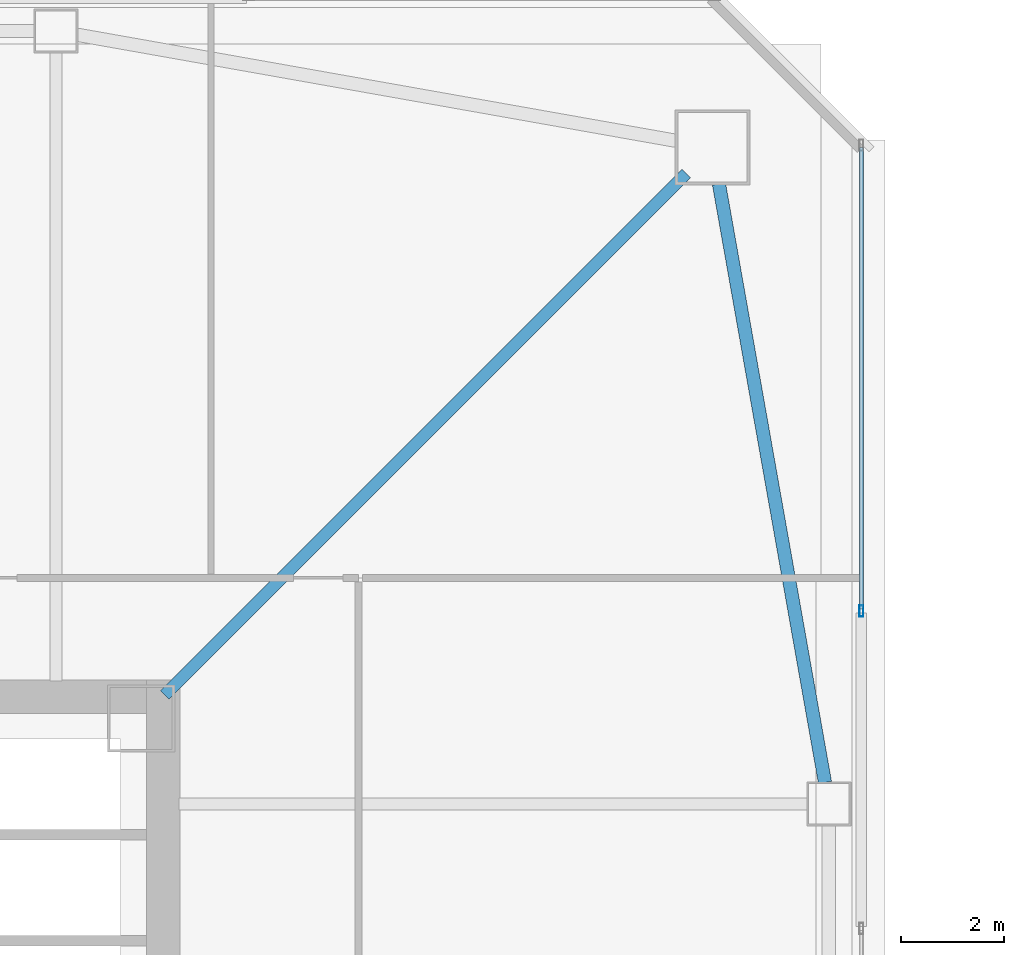
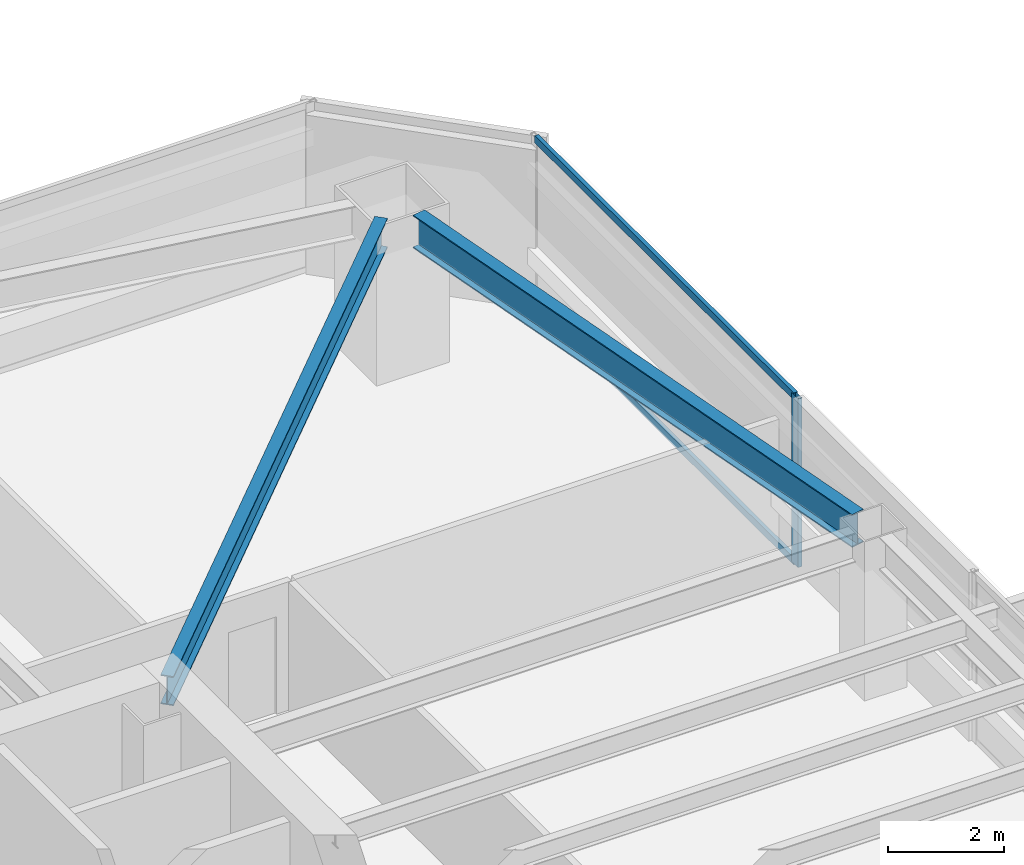
# One storey, part 14 of 44: 3 members, 2 beams, 1 element without a shape of its own.
"""IFC4 building model written with IfcOpenShell, lengths in metres."""

from ifc_helpers import new_model, si_unit, direction, frame, origin, origin_2d, place, context, subcontext, project, spatial, hollow_rectangle, i_section, extrude, material, material_profile, profile_set, type_object, element, aggregate, save


model = new_model("IFC4")

# Units and contexts
model_context = context("Model", 3, precision=1e-05, world=origin(), true_north=direction((0.0, 1.0)))
body_context = subcontext(model_context, "Body", "Model", "MODEL_VIEW")
ifc_project = project(units=[si_unit("LENGTHUNIT", "METRE"), si_unit("AREAUNIT", "SQUARE_METRE"), si_unit("VOLUMEUNIT", "CUBIC_METRE"), si_unit("PLANEANGLEUNIT", "RADIAN"), si_unit("MASSUNIT", "GRAM", prefix="KILO")], contexts=[model_context])

# Site, building, storey
site_placement = place(None, origin())
site = spatial("IfcSite", under=ifc_project, at=site_placement, CompositionType="ELEMENT")
building_placement = place(site_placement, origin())
building = spatial("IfcBuilding", under=site, at=building_placement, Name="Tashvorn Skyway Center", CompositionType="ELEMENT")
storey_placement = place(building_placement, frame((0.0, 0.0, 95.60009765625)))
storey = spatial("IfcBuildingStorey", under=building, at=storey_placement, Name="L25", CompositionType="ELEMENT", Elevation=95.60009765625)

# Beams
ifc_material_1 = material(Name="Steel ASTM A992 Grade 50", Category="steel")
ifc_material_profile_1 = material_profile(ifc_material_1, i_section(OverallWidth=0.22998046875, OverallDepth=0.616943359375, WebThickness=0.01318359375, FlangeThickness=0.022216796875, at=origin_2d()), Name="W24X94")
ifc_profile_set_1 = profile_set([ifc_material_profile_1], Name="Steel ASTM A992 Grade 50")
beam_type_1 = type_object("IfcBeamType", Name="BM-BEAM-W24X94", PredefinedType="BEAM", material=ifc_profile_set_1)
beam_1_placement = place(storey_placement, frame((59.5908203125, 49.5908203125, 3.04150390625), z_axis=(-0.707106781187, -0.707106781187, 0.0), x_axis=(0.707106781187, -0.707106781187, 0.0)))
element("IfcBeam", 1, at=beam_1_placement, inside=storey, type_object=beam_type_1, Name="Tower 1 L25 Primary Floor Girder MC-NE", PredefinedType="BEAM", context=body_context, shape_type="SweptSolid", body=[
    extrude(i_section(OverallWidth=0.22998046875, OverallDepth=0.616943359375, WebThickness=0.01318359375, FlangeThickness=0.022216796875, at=origin_2d()), origin(), (0.0, 0.0, 1.0), 14.261962890625),
])
ifc_material_profile_2 = material_profile(ifc_material_1, i_section(OverallWidth=0.256103515625, OverallDepth=0.693115234375, WebThickness=0.014404296875, FlangeThickness=0.023681640625, at=origin_2d()), Name="W27X114")
ifc_profile_set_2 = profile_set([ifc_material_profile_2], Name="Steel ASTM A992 Grade 50")
beam_type_2 = type_object("IfcBeamType", Name="BM-SPANDREL-W27X114", PredefinedType="SPANDREL", material=ifc_profile_set_2)
beam_2_placement = place(storey_placement, frame((62.276611328125, 37.8134765625, 3.00341796875), z_axis=(-0.174437966698, 0.98466816531, 0.0), x_axis=(-0.98466816531, -0.174437966698, 0.0)))
element("IfcBeam", 2, at=beam_2_placement, inside=storey, type_object=beam_type_2, Name="Tower 1 L25 Spandrel Beam 06", PredefinedType="SPANDREL", context=body_context, shape_type="SweptSolid", body=[
    extrude(i_section(OverallWidth=0.256103515625, OverallDepth=0.693115234375, WebThickness=0.014404296875, FlangeThickness=0.023681640625, at=origin_2d()), origin(), (0.0, 0.0, 1.0), 11.7578125),
])

# Curtain wall, members
ifc_material_2 = material(Name="Thermally broken bronze-anodized aluminium 6063-T6", Category="aluminium")
curtain_wall_type = type_object("IfcCurtainWallType", Name="CW-CW-Z2", PredefinedType="NOTDEFINED", material=ifc_material_2)
curtain_wall_placement = place(storey_placement, origin())
curtain_wall = element("IfcCurtainWall", 3, at=curtain_wall_placement, inside=storey, type_object=curtain_wall_type, Name="Tower 1 L25 East Unitised Curtain Wall Glazing Group 1", PredefinedType="NOTDEFINED")
ifc_material_profile_3 = material_profile(ifc_material_2, hollow_rectangle(XDim=0.080078125, YDim=0.219970703125, WallThickness=0.0048828125, at=origin_2d()), Name="ALU-MULL-80x220")
ifc_profile_set_3 = profile_set([ifc_material_profile_3], Name="Thermally broken bronze-anodized aluminium 6063-T6")
member_type_1 = type_object("IfcMemberType", Name="CWM-CW-Z2", PredefinedType="MULLION", material=ifc_profile_set_3)
member_1_placement = place(storey_placement, frame((62.97998046875, 41.1298828125, 0.0), z_axis=(0.0, 0.0, 1.0), x_axis=(1.0, 0.0, 0.0)))
member_1 = element("IfcMember", 4, at=member_1_placement, type_object=member_type_1, Name="CW-Z2 mullion 2", PredefinedType="MULLION", context=body_context, shape_type="SweptSolid", body=[
    extrude(hollow_rectangle(XDim=0.080078125, YDim=0.219970703125, WallThickness=0.0048828125, at=origin_2d()), origin(), (0.0, 0.0, 1.0), 3.5498046875),
])
ifc_material_profile_4 = material_profile(ifc_material_2, hollow_rectangle(XDim=0.080078125, YDim=0.14990234375, WallThickness=0.00439453125, at=origin_2d()), Name="ALU-TRAN-80x150")
ifc_profile_set_4 = profile_set([ifc_material_profile_4], Name="Thermally broken bronze-anodized aluminium 6063-T6")
member_type_2 = type_object("IfcMemberType", Name="CWT-CW-Z2", PredefinedType="USERDEFINED", material=ifc_profile_set_4)
member_2_placement = place(storey_placement, frame((62.97998046875, 50.10009765625, 0.039794921875), z_axis=(0.0, -1.0, 0.0), x_axis=(1.0, 0.0, 0.0)))
member_2 = element("IfcMember", 5, at=member_2_placement, type_object=member_type_2, Name="CW-Z2 transom 1.1", ObjectType="TRANSOM", PredefinedType="USERDEFINED", context=body_context, shape_type="SweptSolid", body=[
    extrude(hollow_rectangle(XDim=0.080078125, YDim=0.14990234375, WallThickness=0.00439453125, at=origin_2d()), origin(), (0.0, 0.0, 1.0), 8.93017578125),
])
member_3_placement = place(storey_placement, frame((62.97998046875, 50.10009765625, 3.510009765625), z_axis=(0.0, -1.0, 0.0), x_axis=(1.0, 0.0, 0.0)))
member_3 = element("IfcMember", 6, at=member_3_placement, type_object=member_type_2, Name="CW-Z2 transom 1.2", ObjectType="TRANSOM", PredefinedType="USERDEFINED", context=body_context, shape_type="SweptSolid", body=[
    extrude(hollow_rectangle(XDim=0.080078125, YDim=0.14990234375, WallThickness=0.00439453125, at=origin_2d()), origin(), (0.0, 0.0, 1.0), 8.93017578125),
])
aggregate(curtain_wall, [member_1, member_2, member_3])

save(model, "model.ifc")
